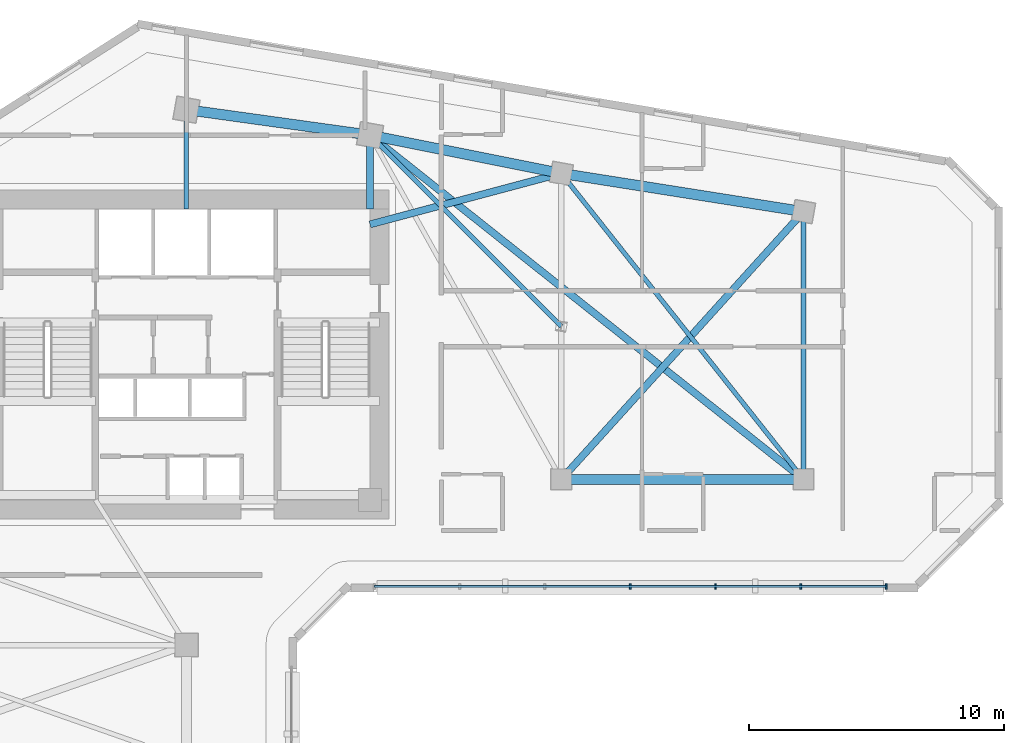
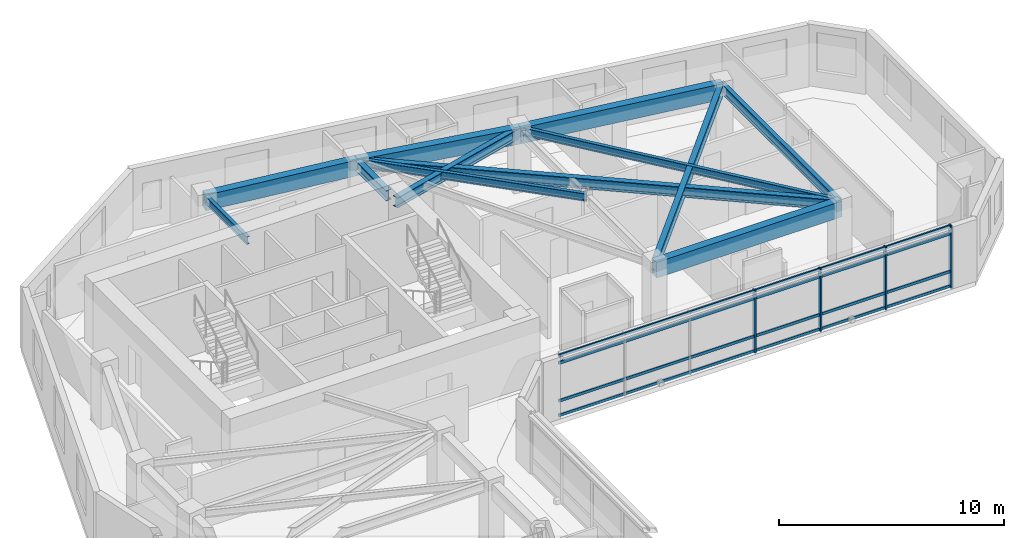
# One storey, part 3 of 11: 12 beams, 8 members, 1 element without a shape of its own.
"""IFC4 building model written with IfcOpenShell, lengths in metres."""

from ifc_helpers import new_model, si_unit, direction, frame, origin, origin_2d, place, context, subcontext, project, spatial, rectangle, i_section, extrude, source, transform, mapped, material, material_profile, profile_set, type_object, element, aggregate, save


model = new_model("IFC4")

# Units and contexts
model_context = context("Model", 3, precision=1e-05, world=origin(), true_north=direction((0.0, 1.0)))
body_context = subcontext(model_context, "Body", "Model", "MODEL_VIEW")
ifc_project = project(units=[si_unit("LENGTHUNIT", "METRE"), si_unit("AREAUNIT", "SQUARE_METRE"), si_unit("VOLUMEUNIT", "CUBIC_METRE"), si_unit("PLANEANGLEUNIT", "RADIAN"), si_unit("MASSUNIT", "GRAM", prefix="KILO")], contexts=[model_context])

# Site, building, storey
site_placement = place(None, origin())
site = spatial("IfcSite", under=ifc_project, at=site_placement, CompositionType="ELEMENT")
building_placement = place(site_placement, origin())
building = spatial("IfcBuilding", under=site, at=building_placement, Name="Calvemar Wedge Station Tower", CompositionType="ELEMENT")
storey_placement = place(building_placement, frame((0.0, 0.0, 157.39990234375)))
storey = spatial("IfcBuildingStorey", under=building, at=storey_placement, Name="L39", CompositionType="ELEMENT", Elevation=157.39990234375)

# Beams
ifc_material_1 = material(Name="Concrete C60", Category="concrete")
ifc_material_profile_1 = material_profile(ifc_material_1, rectangle(XDim=0.39990234375, YDim=0.85009765625, at=origin_2d()), Name="RC400x850")
ifc_profile_set_1 = profile_set([ifc_material_profile_1], Name="Concrete C60")
beam_type_1 = type_object("IfcBeamType", Name="BM-SP1-850", PredefinedType="SPANDREL", material=ifc_profile_set_1)
shared_shape_1 = source(origin(), body_context, "Body", "SweptSolid", [
    extrude(rectangle(XDim=0.39990234375, YDim=0.85009765625, at=origin_2d()), origin(), (0.0, 0.0, 1.0), 7.26904296875),
])
beam_1_placement = place(storey_placement, frame((23.800048828125, 49.5, 2.925048828125), z_axis=(0.990492146053, -0.13756928657, 0.0), x_axis=(0.13756928657, 0.990492146053, 0.0)))
element("IfcBeam", 1, at=beam_1_placement, inside=storey, type_object=beam_type_1, Name="Storey L39 Spandrel T-N1-T-N2", PredefinedType="SPANDREL", context=body_context, shape_type="MappedRepresentation", body=[
    mapped(shared_shape_1, transform((0.0, 0.0, 0.0), scale=1.0)),
])
shared_shape_2 = source(origin(), body_context, "Body", "SweptSolid", [
    extrude(rectangle(XDim=0.39990234375, YDim=0.85009765625, at=origin_2d()), origin(), (0.0, 0.0, 1.0), 7.6484375),
])
beam_2_placement = place(storey_placement, frame((31.0, 48.5, 2.925048828125), z_axis=(0.980580675691, -0.196116135138, 0.0), x_axis=(0.196116135138, 0.980580675691, 0.0)))
element("IfcBeam", 2, at=beam_2_placement, inside=storey, type_object=beam_type_1, Name="Storey L39 Spandrel T-N2-T-NU3", PredefinedType="SPANDREL", context=body_context, shape_type="MappedRepresentation", body=[
    mapped(shared_shape_2, transform((0.0, 0.0, 0.0), scale=1.0)),
])
shared_shape_3 = source(origin(), body_context, "Body", "SweptSolid", [
    extrude(rectangle(XDim=0.39990234375, YDim=0.85009765625, at=origin_2d()), origin(), (0.0, 0.0, 1.0), 9.61767578125),
])
beam_3_placement = place(storey_placement, frame((38.5, 47.0, 2.925048828125), z_axis=(0.987762965329, -0.155962573473, 0.0), x_axis=(0.155962573473, 0.987762965329, 0.0)))
element("IfcBeam", 3, at=beam_3_placement, inside=storey, type_object=beam_type_1, Name="Storey L39 Spandrel T-NU3-T-NU4", PredefinedType="SPANDREL", context=body_context, shape_type="MappedRepresentation", body=[
    mapped(shared_shape_3, transform((0.0, 0.0, 0.0), scale=1.0)),
])
shared_shape_4 = source(origin(), body_context, "Body", "SweptSolid", [
    extrude(rectangle(XDim=0.39990234375, YDim=0.85009765625, at=origin_2d()), origin(), (0.0, 0.0, 1.0), 9.5),
])
beam_4_placement = place(storey_placement, frame((38.5, 35.0, 2.925048828125), z_axis=(1.0, 0.0, 0.0), x_axis=(0.0, 1.0, 0.0)))
element("IfcBeam", 4, at=beam_4_placement, inside=storey, type_object=beam_type_1, Name="Storey L39 Spandrel T-NL2-T-NL3", PredefinedType="SPANDREL", context=body_context, shape_type="MappedRepresentation", body=[
    mapped(shared_shape_4, transform((0.0, 0.0, 0.0), scale=1.0)),
])
ifc_material_2 = material(Name="Structural steel ASTM A572 Grade 50", Category="steel")
ifc_material_profile_2 = material_profile(ifc_material_2, i_section(OverallWidth=0.279052734375, OverallDepth=0.553955078125, WebThickness=0.017578125, FlangeThickness=0.029541015625, FilletRadius=0.014892578125, at=origin_2d()), Name="W530x196")
ifc_profile_set_2 = profile_set([ifc_material_profile_2], Name="Structural steel ASTM A572 Grade 50")
beam_type_2 = type_object("IfcBeamType", Name="BM-SB3-W530H", PredefinedType="BEAM", material=ifc_profile_set_2)
shared_shape_5 = source(origin(), body_context, "Body", "SweptSolid", [
    extrude(i_section(OverallWidth=0.279052734375, OverallDepth=0.553955078125, WebThickness=0.017578125, FlangeThickness=0.029541015625, FilletRadius=0.014892578125, at=origin_2d()), origin(), (0.0, 0.0, 1.0), 21.708251953125),
])
beam_5_placement = place(storey_placement, frame((31.0, 48.5, 3.072998046875), z_axis=(0.783110847498, -0.621882143602, 0.0), x_axis=(0.621882143602, 0.783110847498, 0.0)))
element("IfcBeam", 5, at=beam_5_placement, inside=storey, type_object=beam_type_2, Name="Storey L39 Floor Beam T-N2-T-NL3", PredefinedType="BEAM", context=body_context, shape_type="MappedRepresentation", body=[
    mapped(shared_shape_5, transform((0.0, 0.0, 0.0), scale=1.0)),
])
ifc_material_profile_3 = material_profile(ifc_material_2, i_section(OverallWidth=0.177978515625, OverallDepth=0.406982421875, WebThickness=0.0078125, FlangeThickness=0.0126953125, FilletRadius=0.010009765625, at=origin_2d()), Name="W410x60")
ifc_profile_set_3 = profile_set([ifc_material_profile_3], Name="Structural steel ASTM A572 Grade 50")
beam_type_3 = type_object("IfcBeamType", Name="BM-J3-W410", PredefinedType="JOIST", material=ifc_profile_set_3)
shared_shape_6 = source(origin(), body_context, "Body", "SweptSolid", [
    extrude(i_section(OverallWidth=0.177978515625, OverallDepth=0.406982421875, WebThickness=0.0078125, FlangeThickness=0.0126953125, FilletRadius=0.010009765625, at=origin_2d()), origin(), (0.0, 0.0, 1.0), 15.30517578125),
])
beam_6_placement = place(storey_placement, frame((38.5, 47.0, 3.146484375), z_axis=(0.620702944366, -0.784045824462, 0.0), x_axis=(0.784045824462, 0.620702944366, 0.0)))
element("IfcBeam", 6, at=beam_6_placement, inside=storey, type_object=beam_type_3, Name="Storey L39 Floor Beam T-NU3-T-NL3", PredefinedType="JOIST", context=body_context, shape_type="MappedRepresentation", body=[
    mapped(shared_shape_6, transform((0.0, 0.0, 0.0), scale=1.0)),
])
shared_shape_7 = source(origin(), body_context, "Body", "SweptSolid", [
    extrude(i_section(OverallWidth=0.279052734375, OverallDepth=0.553955078125, WebThickness=0.017578125, FlangeThickness=0.029541015625, FilletRadius=0.014892578125, at=origin_2d()), origin(), (0.0, 0.0, 1.0), 14.159912109375),
])
beam_7_placement = place(storey_placement, frame((38.5, 35.0, 3.072998046875), z_axis=(0.670913323969, 0.741535779124, 0.0), x_axis=(-0.741535779124, 0.670913323969, 0.0)))
element("IfcBeam", 7, at=beam_7_placement, inside=storey, type_object=beam_type_2, Name="Storey L39 Floor Beam T-NL2-T-NU4", PredefinedType="BEAM", context=body_context, shape_type="MappedRepresentation", body=[
    mapped(shared_shape_7, transform((0.0, 0.0, 0.0), scale=1.0)),
])
shared_shape_8 = source(origin(), body_context, "Body", "SweptSolid", [
    extrude(i_section(OverallWidth=0.279052734375, OverallDepth=0.553955078125, WebThickness=0.017578125, FlangeThickness=0.029541015625, FilletRadius=0.014892578125, at=origin_2d()), origin(), (0.0, 0.0, 1.0), 7.76220703125),
])
beam_8_placement = place(storey_placement, frame((31.0, 45.0, 3.072998046875), z_axis=(0.966234939601, 0.25766265056, 0.0), x_axis=(-0.25766265056, 0.966234939601, 0.0)))
element("IfcBeam", 8, at=beam_8_placement, inside=storey, type_object=beam_type_2, Name="Storey L39 Core-to-Column Joist CJ-E2", PredefinedType="BEAM", context=body_context, shape_type="MappedRepresentation", body=[
    mapped(shared_shape_8, transform((0.0, 0.0, 0.0), scale=1.0)),
])
shared_shape_9 = source(origin(), body_context, "Body", "SweptSolid", [
    extrude(i_section(OverallWidth=0.177978515625, OverallDepth=0.406982421875, WebThickness=0.0078125, FlangeThickness=0.0126953125, FilletRadius=0.010009765625, at=origin_2d()), origin(), (0.0, 0.0, 1.0), 3.89990234375),
])
beam_9_placement = place(storey_placement, frame((23.800048828125, 45.60009765625, 3.146484375), z_axis=(0.0, 1.0, 0.0), x_axis=(-1.0, 0.0, 0.0)))
element("IfcBeam", 9, at=beam_9_placement, inside=storey, type_object=beam_type_3, Name="Storey L39 Core-to-Column Joist CJ-N1", PredefinedType="JOIST", context=body_context, shape_type="MappedRepresentation", body=[
    mapped(shared_shape_9, transform((0.0, 0.0, 0.0), scale=1.0)),
])
shared_shape_10 = source(origin(), body_context, "Body", "SweptSolid", [
    extrude(i_section(OverallWidth=0.279052734375, OverallDepth=0.553955078125, WebThickness=0.017578125, FlangeThickness=0.029541015625, FilletRadius=0.014892578125, at=origin_2d()), origin(), (0.0, 0.0, 1.0), 2.89990234375),
])
beam_10_placement = place(storey_placement, frame((31.0, 45.60009765625, 3.072998046875), z_axis=(0.0, 1.0, 0.0), x_axis=(-1.0, 0.0, 0.0)))
element("IfcBeam", 10, at=beam_10_placement, inside=storey, type_object=beam_type_2, Name="Storey L39 Core-to-Column Joist CJ-N2", PredefinedType="BEAM", context=body_context, shape_type="MappedRepresentation", body=[
    mapped(shared_shape_10, transform((0.0, 0.0, 0.0), scale=1.0)),
])
ifc_material_profile_4 = material_profile(ifc_material_2, i_section(OverallWidth=0.2109375, OverallDepth=0.5390625, WebThickness=0.01171875, FlangeThickness=0.018798828125, FilletRadius=0.012939453125, at=origin_2d()), Name="W530x109")
ifc_profile_set_4 = profile_set([ifc_material_profile_4], Name="Structural steel ASTM A572 Grade 50")
beam_type_4 = type_object("IfcBeamType", Name="BM-SB4-W530", PredefinedType="BEAM", material=ifc_profile_set_4)
shared_shape_11 = source(origin(), body_context, "Body", "SweptSolid", [
    extrude(i_section(OverallWidth=0.2109375, OverallDepth=0.5390625, WebThickness=0.01171875, FlangeThickness=0.018798828125, FilletRadius=0.012939453125, at=origin_2d()), origin(), (0.0, 0.0, 1.0), 10.5),
])
beam_11_placement = place(storey_placement, frame((48.0, 45.5, 3.08056640625), z_axis=(0.0, -1.0, 0.0), x_axis=(1.0, 0.0, 0.0)))
element("IfcBeam", 11, at=beam_11_placement, inside=storey, type_object=beam_type_4, Name="Storey L39 Floor Beam T-NU4-T-NL3", PredefinedType="BEAM", context=body_context, shape_type="MappedRepresentation", body=[
    mapped(shared_shape_11, transform((0.0, 0.0, 0.0), scale=1.0)),
])
shared_shape_12 = source(origin(), body_context, "Body", "SweptSolid", [
    extrude(i_section(OverallWidth=0.177978515625, OverallDepth=0.406982421875, WebThickness=0.0078125, FlangeThickness=0.0126953125, FilletRadius=0.010009765625, at=origin_2d()), origin(), (0.0, 0.0, 1.0), 10.606689453125),
])
beam_12_placement = place(storey_placement, frame((38.5, 41.0, 3.146484375), z_axis=(-0.707106781187, 0.707106781187, 0.0), x_axis=(-0.707106781187, -0.707106781187, 0.0)))
element("IfcBeam", 12, at=beam_12_placement, inside=storey, type_object=beam_type_3, Name="Storey L39 Floor Beam T-NTIP-B-T-N2", PredefinedType="JOIST", context=body_context, shape_type="MappedRepresentation", body=[
    mapped(shared_shape_12, transform((0.0, 0.0, 0.0), scale=1.0)),
])

# Curtain wall, members
ifc_material_3 = material(Name="Anodised aluminium 6063-T6", Category="aluminium")
curtain_wall_type = type_object("IfcCurtainWallType", Name="CW2", PredefinedType="NOTDEFINED", material=ifc_material_3)
curtain_wall_placement = place(storey_placement, origin())
curtain_wall = element("IfcCurtainWall", 13, at=curtain_wall_placement, inside=storey, type_object=curtain_wall_type, Name="Storey L39 CW2 Recessed Unitised Curtain Wall 6", PredefinedType="NOTDEFINED")
ifc_material_profile_5 = material_profile(ifc_material_3, rectangle(XDim=0.074951171875, YDim=0.219970703125, at=origin_2d()), Name="AL-MUL-75x220")
ifc_profile_set_5 = profile_set([ifc_material_profile_5], Name="Anodised aluminium 6063-T6")
member_type_1 = type_object("IfcMemberType", Name="CW2-MUL", PredefinedType="MULLION", material=ifc_profile_set_5)
shared_shape_13 = source(origin(), body_context, "Body", "SweptSolid", [
    extrude(rectangle(XDim=0.074951171875, YDim=0.219970703125, at=origin_2d()), origin(), (0.0, 0.0, 1.0), 3.39990234375),
])
member_1_placement = place(storey_placement, frame((41.201904296875, 30.802001953125, -0.0498046875), z_axis=(0.0, 0.0, 1.0), x_axis=(1.0, 0.0, 0.0)))
member_1 = element("IfcMember", 14, at=member_1_placement, type_object=member_type_1, Name="CW2 mullion 4", PredefinedType="MULLION", context=body_context, shape_type="MappedRepresentation", body=[
    mapped(shared_shape_13, transform((0.0, 0.0, 0.0), scale=1.0)),
])
member_2_placement = place(storey_placement, frame((44.547119140625, 30.802001953125, -0.0498046875), z_axis=(0.0, 0.0, 1.0), x_axis=(1.0, 0.0, 0.0)))
member_2 = element("IfcMember", 15, at=member_2_placement, type_object=member_type_1, Name="CW2 mullion 5", PredefinedType="MULLION", context=body_context, shape_type="MappedRepresentation", body=[
    mapped(shared_shape_13, transform((0.0, 0.0, 0.0), scale=1.0)),
])
member_3_placement = place(storey_placement, frame((47.892578125, 30.802001953125, -0.0498046875), z_axis=(0.0, 0.0, 1.0), x_axis=(1.0, 0.0, 0.0)))
member_3 = element("IfcMember", 16, at=member_3_placement, type_object=member_type_1, Name="CW2 mullion 6", PredefinedType="MULLION", context=body_context, shape_type="MappedRepresentation", body=[
    mapped(shared_shape_13, transform((0.0, 0.0, 0.0), scale=1.0)),
])
member_4_placement = place(storey_placement, frame((51.23779296875, 30.802001953125, -0.0498046875), z_axis=(0.0, 0.0, 1.0), x_axis=(1.0, 0.0, 0.0)))
member_4 = element("IfcMember", 17, at=member_4_placement, type_object=member_type_1, Name="CW2 mullion 7", PredefinedType="MULLION", context=body_context, shape_type="MappedRepresentation", body=[
    mapped(shared_shape_13, transform((0.0, 0.0, 0.0), scale=1.0)),
])
ifc_material_profile_6 = material_profile(ifc_material_3, rectangle(XDim=0.074951171875, YDim=0.14990234375, at=origin_2d()), Name="AL-TRN-75x150")
ifc_profile_set_6 = profile_set([ifc_material_profile_6], Name="Anodised aluminium 6063-T6")
member_type_2 = type_object("IfcMemberType", Name="CW2-TRN", PredefinedType="USERDEFINED", material=ifc_profile_set_6)
shared_shape_14 = source(origin(), body_context, "Body", "SweptSolid", [
    extrude(rectangle(XDim=0.074951171875, YDim=0.14990234375, at=origin_2d()), origin(), (0.0, 0.0, 1.0), 20.07177734375),
])
member_5_placement = place(storey_placement, frame((31.166015625, 30.802001953125, 0.06005859375), z_axis=(1.0, 0.0, 0.0), x_axis=(0.0, 1.0, 0.0)))
member_5 = element("IfcMember", 18, at=member_5_placement, type_object=member_type_2, Name="CW2 transom 1", ObjectType="TRANSOM", PredefinedType="USERDEFINED", context=body_context, shape_type="MappedRepresentation", body=[
    mapped(shared_shape_14, transform((0.0, 0.0, 0.0), scale=1.0)),
])
member_6_placement = place(storey_placement, frame((31.166015625, 30.802001953125, 0.85009765625), z_axis=(1.0, 0.0, 0.0), x_axis=(0.0, 1.0, 0.0)))
member_6 = element("IfcMember", 19, at=member_6_placement, type_object=member_type_2, Name="CW2 transom 2", ObjectType="TRANSOM", PredefinedType="USERDEFINED", context=body_context, shape_type="MappedRepresentation", body=[
    mapped(shared_shape_14, transform((0.0, 0.0, 0.0), scale=1.0)),
])
member_7_placement = place(storey_placement, frame((31.166015625, 30.802001953125, 2.900146484375), z_axis=(1.0, 0.0, 0.0), x_axis=(0.0, 1.0, 0.0)))
member_7 = element("IfcMember", 20, at=member_7_placement, type_object=member_type_2, Name="CW2 transom 3", ObjectType="TRANSOM", PredefinedType="USERDEFINED", context=body_context, shape_type="MappedRepresentation", body=[
    mapped(shared_shape_14, transform((0.0, 0.0, 0.0), scale=1.0)),
])
member_8_placement = place(storey_placement, frame((31.166015625, 30.802001953125, 3.2900390625), z_axis=(1.0, 0.0, 0.0), x_axis=(0.0, 1.0, 0.0)))
member_8 = element("IfcMember", 21, at=member_8_placement, type_object=member_type_2, Name="CW2 transom 4", ObjectType="TRANSOM", PredefinedType="USERDEFINED", context=body_context, shape_type="MappedRepresentation", body=[
    mapped(shared_shape_14, transform((0.0, 0.0, 0.0), scale=1.0)),
])
aggregate(curtain_wall, [member_1, member_2, member_3, member_4, member_5, member_6, member_7, member_8])

save(model, "model.ifc")
